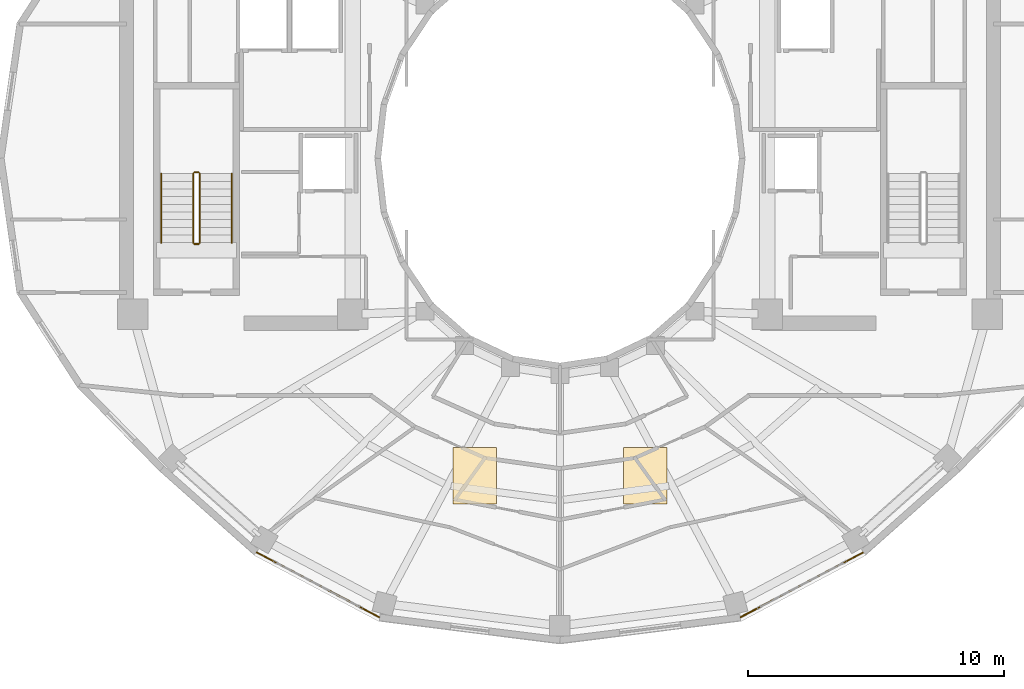
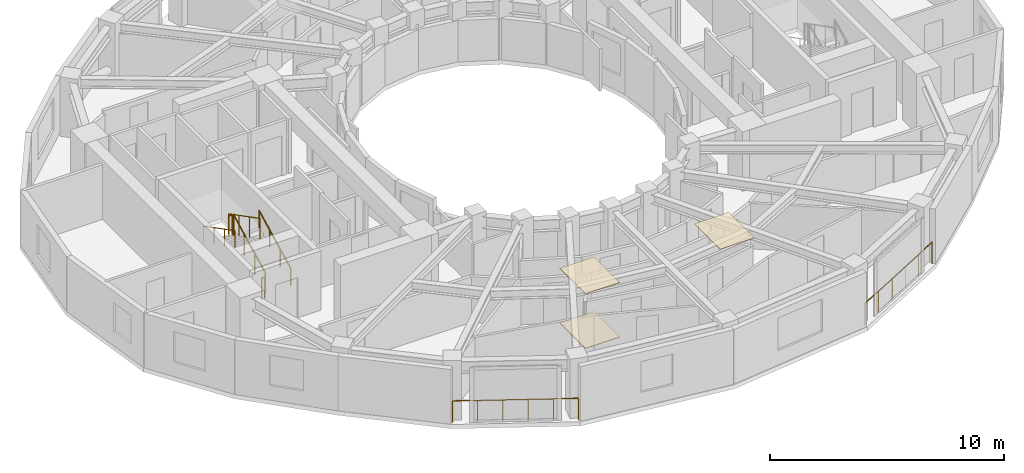
# One storey, part 15 of 16: 8 railings, 3 coverings.
"""IFC4 building model written with IfcOpenShell, lengths in metres."""

import ifcopenshell
import ifcopenshell.guid

model = None  # the IFC model being written
_history = None  # IfcOwnerHistory: only IFC2X3 demands one
_inside = {}  # id of a spatial element -> (the spatial element, [elements in it])
_under = {}  # id of a project, library or spatial element -> (it, [spatial elements below it])
_declared = {}  # id of a project -> (the project, [libraries it declares])
_typed = {}  # id of a type object -> (the type object, [elements of that type])
_made_of = {}  # id of a material, layer set ... -> (it, [elements and type objects made of it])


def new_model(schema):
    """Start an empty IFC model of exactly this schema.

    Asked for "IFC4X3", IfcOpenShell would pick the latest addendum, in which some entities
    have other attributes; the version numbers below select the first issue.
    IFC2X3 requires an IfcOwnerHistory on every rooted entity: one is made here for all.
    """
    global model, _history
    if schema == "IFC4X3":
        model = ifcopenshell.file(schema_version=(4, 3, 0, 0))
    else:
        model = ifcopenshell.file(schema=schema)
    _inside.clear()
    _under.clear()
    _declared.clear()
    _typed.clear()
    _made_of.clear()
    _history = None
    if model.schema == "IFC2X3":
        org = make("IfcOrganization", Name="unknown")
        user = make(
            "IfcPersonAndOrganization",
            ThePerson=make("IfcPerson", FamilyName="unknown"),
            TheOrganization=org,
        )
        app = make(
            "IfcApplication",
            ApplicationDeveloper=org,
            Version="unknown",
            ApplicationFullName="unknown",
            ApplicationIdentifier="unknown",
        )
        _history = make(
            "IfcOwnerHistory",
            OwningUser=user,
            OwningApplication=app,
            ChangeAction="ADDED",
            CreationDate=0,
        )
    return model


def make(cls, **values):
    """One entity of the class cls with the attributes given. An attribute that is None is left unset."""
    return model.create_entity(
        cls, **{name: value for name, value in values.items() if value is not None}
    )


def rooted(cls, **values):
    """An entity with a GlobalId (a new one), such as an element, a storey or a relation."""
    return make(cls, GlobalId=ifcopenshell.guid.new(), OwnerHistory=_history, **values)


def si_unit(unit_type, name, prefix=None):
    """IfcSIUnit, for example si_unit("LENGTHUNIT", "METRE", prefix="MILLI")."""
    return make("IfcSIUnit", UnitType=unit_type, Prefix=prefix, Name=name)


def assignment(units):
    """IfcUnitAssignment: the units of a project."""
    return None if units is None else make("IfcUnitAssignment", Units=units)


def point(xyz):
    """IfcCartesianPoint."""
    return None if xyz is None else make("IfcCartesianPoint", Coordinates=xyz)


def direction(xyz):
    """IfcDirection."""
    return None if xyz is None else make("IfcDirection", DirectionRatios=xyz)


def frame(location, z_axis=None, x_axis=None):
    """IfcAxis2Placement3D, a coordinate frame: its origin and axes. An axis left out is left unset."""
    return make(
        "IfcAxis2Placement3D",
        Location=point(location),
        Axis=direction(z_axis),
        RefDirection=direction(x_axis),
    )


def frame_2d(location, x_axis=None):
    """IfcAxis2Placement2D, a coordinate frame in the plane: its origin and x axis."""
    return make(
        "IfcAxis2Placement2D", Location=point(location), RefDirection=direction(x_axis)
    )


def origin():
    """The frame at (0, 0, 0) with its axes left unset."""
    return frame((0.0, 0.0, 0.0))


def origin_2d():
    """The frame at (0, 0) in the plane with its x axis left unset."""
    return frame_2d((0.0, 0.0))


def place(relative_to, where):
    """IfcLocalPlacement: puts the frame where relative to a parent placement (None: the world)."""
    return make(
        "IfcLocalPlacement", PlacementRelTo=relative_to, RelativePlacement=where
    )


def context(
    kind, dimensions, precision=None, world=None, true_north=None, identifier=None
):
    """IfcGeometricRepresentationContext, for example the 3D "Model" context."""
    return make(
        "IfcGeometricRepresentationContext",
        ContextIdentifier=identifier,
        ContextType=kind,
        CoordinateSpaceDimension=dimensions,
        Precision=precision,
        WorldCoordinateSystem=world,
        TrueNorth=true_north,
    )


def subcontext(parent, identifier, kind, view, scale=None):
    """IfcGeometricRepresentationSubContext, for example "Body" below "Model"."""
    return make(
        "IfcGeometricRepresentationSubContext",
        ContextIdentifier=identifier,
        ContextType=kind,
        ParentContext=parent,
        TargetScale=scale,
        TargetView=view,
    )


def project(units=None, contexts=None):
    """IfcProject with its units and contexts."""
    return rooted(
        "IfcProject",
        Name="project",
        RepresentationContexts=contexts,
        UnitsInContext=assignment(units),
    )


def spatial(cls, under=None, at=None, **own):
    """A site, building, storey or space (cls), placed at a placement, below another one or the project."""
    s = rooted(cls, ObjectPlacement=at, **own)
    if under is not None:
        _under.setdefault(under.id(), (under, []))[1].append(s)
    return s


def polyline(points):
    """IfcPolyline through the points."""
    return make("IfcPolyline", Points=[point(p) for p in points])


def profile(cls, at=None, kind="AREA", **sizes):
    """A parametric profile (cls). Its sizes go by their IFC names, for example OverallWidth=200.0."""
    return make(cls, ProfileType=kind, Position=at, **sizes)


def circle(**sizes):
    """IfcCircleProfileDef."""
    return profile("IfcCircleProfileDef", **sizes)


def outline(outer, holes=None, kind="AREA"):
    """IfcArbitraryClosedProfileDef: a profile drawn as a closed curve; with holes, ...WithVoids."""
    if holes is None:
        return make("IfcArbitraryClosedProfileDef", ProfileType=kind, OuterCurve=outer)
    return make(
        "IfcArbitraryProfileDefWithVoids",
        ProfileType=kind,
        OuterCurve=outer,
        InnerCurves=holes,
    )


def extrude(swept, where, along, depth):
    """IfcExtrudedAreaSolid: the profile swept, set in the frame where, extruded along a direction by depth."""
    return make(
        "IfcExtrudedAreaSolid",
        SweptArea=swept,
        Position=where,
        ExtrudedDirection=direction(along),
        Depth=depth,
    )


def shape(context_of_items, identifier, shape_type, items):
    """IfcShapeRepresentation: the items that make up one representation, for example the "Body"."""
    return make(
        "IfcShapeRepresentation",
        ContextOfItems=context_of_items,
        RepresentationIdentifier=identifier,
        RepresentationType=shape_type,
        Items=items,
    )


def material(Name=None, Category=None):
    """IfcMaterial."""
    return make("IfcMaterial", Name=Name, Category=Category)


def layer(
    of_material, thickness, ventilated=None, Name=None, Category=None, Priority=None
):
    """IfcMaterialLayer: one layer of a wall or slab, of a material (None: an air gap)."""
    return make(
        "IfcMaterialLayer",
        Material=of_material,
        LayerThickness=thickness,
        IsVentilated=ventilated,
        Name=Name,
        Category=Category,
        Priority=Priority,
    )


def layer_set(layers, Name=None):
    """IfcMaterialLayerSet."""
    return make("IfcMaterialLayerSet", MaterialLayers=layers, LayerSetName=Name)


def made_of(thing, what):
    """Note that an element or type object is made of a material, layer set ...; save() writes the relation."""
    if what is not None:
        _made_of.setdefault(what.id(), (what, []))[1].append(thing)
    return thing


def type_object(cls, material=None, **own):
    """A type object (cls), such as IfcWallType, which elements share."""
    return made_of(rooted(cls, **own), material)


def element(
    cls,
    number,
    at=None,
    inside=None,
    cuts=None,
    type_object=None,
    material=None,
    context=None,
    identifier="Body",
    shape_type=None,
    held_by="IfcProductDefinitionShape",
    body=None,
    shapes=None,
    **own,
):
    """One element of the class cls, such as IfcWall. Its Tag is "e" and its number.

    at: its placement. inside: the storey or other place that contains it. cuts: it is an
    opening in that element (IfcRelVoidsElement). A single representation is given by context,
    identifier, shape_type and body (its items); several are given by shapes. held_by: the class
    of the entity that holds the representations. save() writes the other relations.
    """
    e = rooted(cls, Tag="e%d" % number, ObjectPlacement=at, **own)
    if body is not None:
        shapes = [shape(context, identifier, shape_type, body)]
    if shapes is not None:
        e.Representation = make(held_by, Representations=shapes)
    if inside is not None:
        _inside.setdefault(inside.id(), (inside, []))[1].append(e)
    if cuts is not None:
        rooted(
            "IfcRelVoidsElement", RelatingBuildingElement=cuts, RelatedOpeningElement=e
        )
    if type_object is not None:
        _typed.setdefault(type_object.id(), (type_object, []))[1].append(e)
    return made_of(e, material)


def aggregate(whole, parts):
    """IfcRelAggregates: a whole, such as a stair, and the parts it consists of."""
    return rooted("IfcRelAggregates", RelatingObject=whole, RelatedObjects=parts)


def save(model, path):
    """Write the relations noted so far, then the file.

    IfcRelAggregates (storeys below a building ...), IfcRelContainedInSpatialStructure (elements
    in a storey), IfcRelDefinesByType, IfcRelAssociatesMaterial and IfcRelDeclares: one each for
    every whole, place, type object, material and project.
    """
    for whole, parts in _under.values():
        aggregate(whole, parts)
    for where, things in _inside.values():
        rooted(
            "IfcRelContainedInSpatialStructure",
            RelatedElements=things,
            RelatingStructure=where,
        )
    for kind, things in _typed.values():
        rooted("IfcRelDefinesByType", RelatedObjects=things, RelatingType=kind)
    for what, things in _made_of.values():
        rooted("IfcRelAssociatesMaterial", RelatedObjects=things, RelatingMaterial=what)
    for by, libraries in _declared.values():
        rooted("IfcRelDeclares", RelatingContext=by, RelatedDefinitions=libraries)
    model.write(path)


model = new_model("IFC4")

# Units and contexts
model_context = context("Model", 3, precision=1e-05, world=origin(), true_north=direction((0.0, 1.0)))
body_context = subcontext(model_context, "Body", "Model", "MODEL_VIEW")
ifc_project = project(units=[si_unit("LENGTHUNIT", "METRE"), si_unit("AREAUNIT", "SQUARE_METRE"), si_unit("VOLUMEUNIT", "CUBIC_METRE"), si_unit("PLANEANGLEUNIT", "RADIAN"), si_unit("MASSUNIT", "GRAM", prefix="KILO")], contexts=[model_context])

# Site, building, storey
site_placement = place(None, origin())
site = spatial("IfcSite", under=ifc_project, at=site_placement, CompositionType="ELEMENT")
building_placement = place(site_placement, origin())
building = spatial("IfcBuilding", under=site, at=building_placement, Name="Solvane Sanctuary Tower", CompositionType="ELEMENT")
storey_placement = place(building_placement, frame((0.0, 0.0, 226.39990234375)))
storey = spatial("IfcBuildingStorey", under=building, at=storey_placement, Name="L69", CompositionType="ELEMENT", Elevation=226.39990234375)

# Coverings
ifc_material_1 = material(Name="Acoustic Gypsum Partition Board")
ifc_layer_1 = layer(ifc_material_1, 0.02490234375, Name="Acoustic Gypsum Partition Board")
ifc_layer_set_1 = layer_set([ifc_layer_1], Name="Acoustic Gypsum Partition Board")
covering_type_1 = type_object("IfcCoveringType", Name="Covering CLG-ACOUST", PredefinedType="CEILING", material=ifc_layer_set_1)
covering_1_placement = place(storey_placement, frame((0.0, 0.0, 2.85009765625)))
element("IfcCovering", 1, at=covering_1_placement, inside=storey, type_object=covering_type_1, Name="L69 Unit Acoustic Ceiling Panel 4", PredefinedType="CEILING", context=body_context, shape_type="SweptSolid", body=[
    extrude(outline(polyline([(27.823974609375, 9.488037109375), (29.52392578125, 9.488037109375), (29.52392578125, 11.68798828125), (27.823974609375, 11.68798828125), (27.823974609375, 9.488037109375)])), origin(), (0.0, 0.0, 1.0), 0.030029296875),
])
covering_2_placement = place(storey_placement, frame((0.0, 0.0, 2.85009765625)))
element("IfcCovering", 2, at=covering_2_placement, inside=storey, type_object=covering_type_1, Name="L69 Unit Acoustic Ceiling Panel 5", PredefinedType="CEILING", context=body_context, shape_type="SweptSolid", body=[
    extrude(outline(polyline([(34.47607421875, 9.488037109375), (36.176025390625, 9.488037109375), (36.176025390625, 11.68798828125), (34.47607421875, 11.68798828125), (34.47607421875, 9.488037109375)])), origin(), (0.0, 0.0, 1.0), 0.030029296875),
])
ifc_material_2 = material(Name="Ceramic Tile Finish")
ifc_layer_2 = layer(ifc_material_2, 0.030029296875, Name="Ceramic Tile Finish")
ifc_layer_set_2 = layer_set([ifc_layer_2], Name="Ceramic Tile Finish")
covering_type_2 = type_object("IfcCoveringType", Name="Covering FLR-TERRAZZO", PredefinedType="FLOORING", material=ifc_layer_set_2)
covering_3_placement = place(storey_placement, origin())
element("IfcCovering", 3, at=covering_3_placement, inside=storey, type_object=covering_type_2, Name="L69 Unit Terrazzo Inlay 4", PredefinedType="FLOORING", context=body_context, shape_type="SweptSolid", body=[
    extrude(outline(polyline([(27.823974609375, 9.488037109375), (29.52392578125, 9.488037109375), (29.52392578125, 11.68798828125), (27.823974609375, 11.68798828125), (27.823974609375, 9.488037109375)])), origin(), (0.0, 0.0, 1.0), 0.03515625),
])

# Railings
ifc_material_3 = material(Name="Architectural Stainless Steel 316", Category="steel")
railing_type_1 = type_object("IfcRailingType", Name="Railing GR-BALC-1150", PredefinedType="BALUSTRADE", material=ifc_material_3)
railing_1_placement = place(storey_placement, frame((20.156494140625, 7.5869140625, 0.0)))
element("IfcRailing", 4, at=railing_1_placement, inside=storey, type_object=railing_type_1, Name="L69 Curtain-Wall Perimeter Sill Guard 16", PredefinedType="BALUSTRADE", context=body_context, shape_type="SweptSolid", body=[
    extrude(circle(Radius=0.02392578125, at=origin_2d()), frame((0.0, 0.0, 1.1259765625), z_axis=(0.883976980304, -0.467530424992, 0.0), x_axis=(0.467530424992, 0.883976980304, 0.0)), (0.0, 0.0, 1.0), 5.400390625),
    extrude(circle(Radius=0.02099609375, at=origin_2d()), origin(), (0.0, 0.0, 1.0), 1.101806640625),
    extrude(circle(Radius=0.02099609375, at=origin_2d()), frame((0.954833984375, -0.5048828125, 0.0)), (0.0, 0.0, 1.0), 1.101806640625),
    extrude(circle(Radius=0.02099609375, at=origin_2d()), frame((1.90966796875, -1.010009765625, 0.0)), (0.0, 0.0, 1.0), 1.101806640625),
    extrude(circle(Radius=0.02099609375, at=origin_2d()), frame((2.8642578125, -1.514892578125, 0.0)), (0.0, 0.0, 1.0), 1.101806640625),
    extrude(circle(Radius=0.02099609375, at=origin_2d()), frame((3.819091796875, -2.02001953125, 0.0)), (0.0, 0.0, 1.0), 1.101806640625),
    extrude(circle(Radius=0.02099609375, at=origin_2d()), frame((4.77392578125, -2.52490234375, 0.0)), (0.0, 0.0, 1.0), 1.101806640625),
])
railing_2_placement = place(storey_placement, frame((39.069580078125, 5.06201171875, 0.0)))
element("IfcRailing", 5, at=railing_2_placement, inside=storey, type_object=railing_type_1, Name="L69 Curtain-Wall Perimeter Sill Guard 19", PredefinedType="BALUSTRADE", context=body_context, shape_type="SweptSolid", body=[
    extrude(circle(Radius=0.02392578125, at=origin_2d()), frame((0.0, 0.0, 1.1259765625), z_axis=(0.883976980304, 0.467530424992, 0.0), x_axis=(-0.467530424992, 0.883976980304, 0.0)), (0.0, 0.0, 1.0), 5.400390625),
    extrude(circle(Radius=0.02099609375, at=origin_2d()), origin(), (0.0, 0.0, 1.0), 1.101806640625),
    extrude(circle(Radius=0.02099609375, at=origin_2d()), frame((0.954833984375, 0.5048828125, 0.0)), (0.0, 0.0, 1.0), 1.101806640625),
    extrude(circle(Radius=0.02099609375, at=origin_2d()), frame((1.90966796875, 1.010009765625, 0.0)), (0.0, 0.0, 1.0), 1.101806640625),
    extrude(circle(Radius=0.02099609375, at=origin_2d()), frame((2.8642578125, 1.514892578125, 0.0)), (0.0, 0.0, 1.0), 1.101806640625),
    extrude(circle(Radius=0.02099609375, at=origin_2d()), frame((3.819091796875, 2.02001953125, 0.0)), (0.0, 0.0, 1.0), 1.101806640625),
    extrude(circle(Radius=0.02099609375, at=origin_2d()), frame((4.77392578125, 2.52490234375, 0.0)), (0.0, 0.0, 1.0), 1.101806640625),
])
railing_3_placement = place(storey_placement, frame((17.919921875, 19.699951171875, 0.155029296875)))
element("IfcRailing", 6, at=railing_3_placement, inside=storey, type_object=railing_type_1, Name="L69 ST-1 stair guard 1", PredefinedType="BALUSTRADE", context=body_context, shape_type="SweptSolid", body=[
    extrude(circle(Radius=0.02392578125, at=origin_2d()), frame((0.0, 0.0, 1.076171875), z_axis=(0.0, 0.888419900624, 0.459031676658), x_axis=(-1.0, 0.0, 0.0)), (0.0, 0.0, 1.0), 3.0390625),
    extrude(circle(Radius=0.02099609375, at=origin_2d()), origin(), (0.0, 0.0, 1.0), 1.052001953125),
    extrude(circle(Radius=0.02099609375, at=origin_2d()), frame((0.0, 0.89990234375, 0.465087890625)), (0.0, 0.0, 1.0), 1.052001953125),
    extrude(circle(Radius=0.02099609375, at=origin_2d()), frame((0.0, 1.800048828125, 0.929931640625)), (0.0, 0.0, 1.0), 1.052001953125),
    extrude(circle(Radius=0.02099609375, at=origin_2d()), frame((0.0, 2.699951171875, 1.39501953125)), (0.0, 0.0, 1.0), 1.052001953125),
])
railing_4_placement = place(storey_placement, frame((17.8701171875, 22.449951171875, 1.550048828125)))
element("IfcRailing", 7, at=railing_4_placement, inside=storey, type_object=railing_type_1, Name="L69 ST-1 stair guard 2", PredefinedType="BALUSTRADE", context=body_context, shape_type="SweptSolid", body=[
    extrude(circle(Radius=0.02392578125, at=origin_2d()), frame((0.0, 0.0, 1.076171875), z_axis=(-1.0, 0.0, 0.0), x_axis=(0.0, -1.0, 0.0)), (0.0, 0.0, 1.0), 0.16015625),
    extrude(circle(Radius=0.02099609375, at=origin_2d()), origin(), (0.0, 0.0, 1.0), 1.052001953125),
    extrude(circle(Radius=0.02099609375, at=origin_2d()), frame((-0.16015625, 0.0, 0.0)), (0.0, 0.0, 1.0), 1.052001953125),
])
railing_5_placement = place(storey_placement, frame((17.659912109375, 22.39990234375, 1.705078125)))
element("IfcRailing", 8, at=railing_5_placement, inside=storey, type_object=railing_type_1, Name="L69 ST-1 stair guard 3", PredefinedType="BALUSTRADE", context=body_context, shape_type="SweptSolid", body=[
    extrude(circle(Radius=0.02392578125, at=origin_2d()), frame((0.0, 0.0, 1.076171875), z_axis=(0.0, -0.888419900624, 0.459031676658), x_axis=(1.0, 0.0, 0.0)), (0.0, 0.0, 1.0), 3.0390625),
    extrude(circle(Radius=0.02099609375, at=origin_2d()), origin(), (0.0, 0.0, 1.0), 1.052001953125),
    extrude(circle(Radius=0.02099609375, at=origin_2d()), frame((0.0, -0.89990234375, 0.465087890625)), (0.0, 0.0, 1.0), 1.052001953125),
    extrude(circle(Radius=0.02099609375, at=origin_2d()), frame((0.0, -1.800048828125, 0.929931640625)), (0.0, 0.0, 1.0), 1.052001953125),
    extrude(circle(Radius=0.02099609375, at=origin_2d()), frame((0.0, -2.699951171875, 1.39501953125)), (0.0, 0.0, 1.0), 1.052001953125),
])
railing_6_placement = place(storey_placement, frame((17.8701171875, 19.64990234375, 0.0)))
element("IfcRailing", 9, at=railing_6_placement, inside=storey, type_object=railing_type_1, Name="L69 ST-1 stair guard 4", PredefinedType="BALUSTRADE", context=body_context, shape_type="SweptSolid", body=[
    extrude(circle(Radius=0.02392578125, at=origin_2d()), frame((0.0, 0.0, 1.076171875), z_axis=(-1.0, 0.0, 0.0), x_axis=(0.0, -1.0, 0.0)), (0.0, 0.0, 1.0), 0.16015625),
    extrude(circle(Radius=0.02099609375, at=origin_2d()), origin(), (0.0, 0.0, 1.0), 1.052001953125),
    extrude(circle(Radius=0.02099609375, at=origin_2d()), frame((-0.16015625, 0.0, 0.0)), (0.0, 0.0, 1.0), 1.052001953125),
])
railing_type_2 = type_object("IfcRailingType", Name="Railing HR-STAIR-920", PredefinedType="HANDRAIL", material=ifc_material_3)
railing_7_placement = place(storey_placement, frame((19.169921875, 19.699951171875, 0.155029296875)))
element("IfcRailing", 10, at=railing_7_placement, inside=storey, type_object=railing_type_2, Name="L69 ST-1 stair handrail 1", PredefinedType="HANDRAIL", context=body_context, shape_type="SweptSolid", body=[
    extrude(circle(Radius=0.02392578125, at=origin_2d()), frame((0.0, 0.0, 0.8759765625), z_axis=(0.0, 0.888419900624, 0.459031676658), x_axis=(-1.0, 0.0, 0.0)), (0.0, 0.0, 1.0), 3.0390625),
    extrude(circle(Radius=0.02099609375, at=origin_2d()), origin(), (0.0, 0.0, 1.0), 0.851806640625),
    extrude(circle(Radius=0.02099609375, at=origin_2d()), frame((0.0, 0.89990234375, 0.465087890625)), (0.0, 0.0, 1.0), 0.851806640625),
    extrude(circle(Radius=0.02099609375, at=origin_2d()), frame((0.0, 1.800048828125, 0.929931640625)), (0.0, 0.0, 1.0), 0.851806640625),
    extrude(circle(Radius=0.02099609375, at=origin_2d()), frame((0.0, 2.699951171875, 1.39501953125)), (0.0, 0.0, 1.0), 0.851806640625),
])
railing_8_placement = place(storey_placement, frame((16.409912109375, 22.39990234375, 1.705078125)))
element("IfcRailing", 11, at=railing_8_placement, inside=storey, type_object=railing_type_2, Name="L69 ST-1 stair handrail 2", PredefinedType="HANDRAIL", context=body_context, shape_type="SweptSolid", body=[
    extrude(circle(Radius=0.02392578125, at=origin_2d()), frame((0.0, 0.0, 0.8759765625), z_axis=(0.0, -0.888419900624, 0.459031676658), x_axis=(1.0, 0.0, 0.0)), (0.0, 0.0, 1.0), 3.0390625),
    extrude(circle(Radius=0.02099609375, at=origin_2d()), origin(), (0.0, 0.0, 1.0), 0.851806640625),
    extrude(circle(Radius=0.02099609375, at=origin_2d()), frame((0.0, -0.89990234375, 0.465087890625)), (0.0, 0.0, 1.0), 0.851806640625),
    extrude(circle(Radius=0.02099609375, at=origin_2d()), frame((0.0, -1.800048828125, 0.929931640625)), (0.0, 0.0, 1.0), 0.851806640625),
    extrude(circle(Radius=0.02099609375, at=origin_2d()), frame((0.0, -2.699951171875, 1.39501953125)), (0.0, 0.0, 1.0), 0.851806640625),
])

save(model, "model.ifc")
